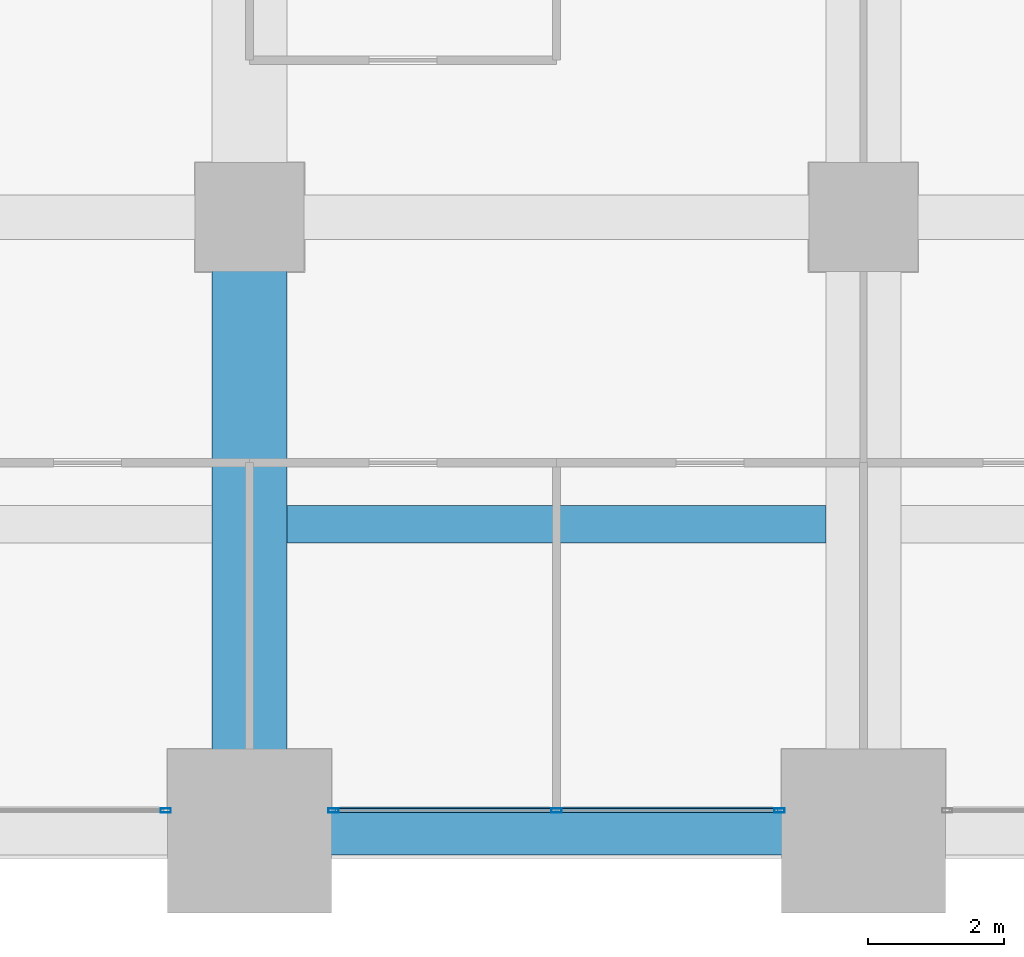
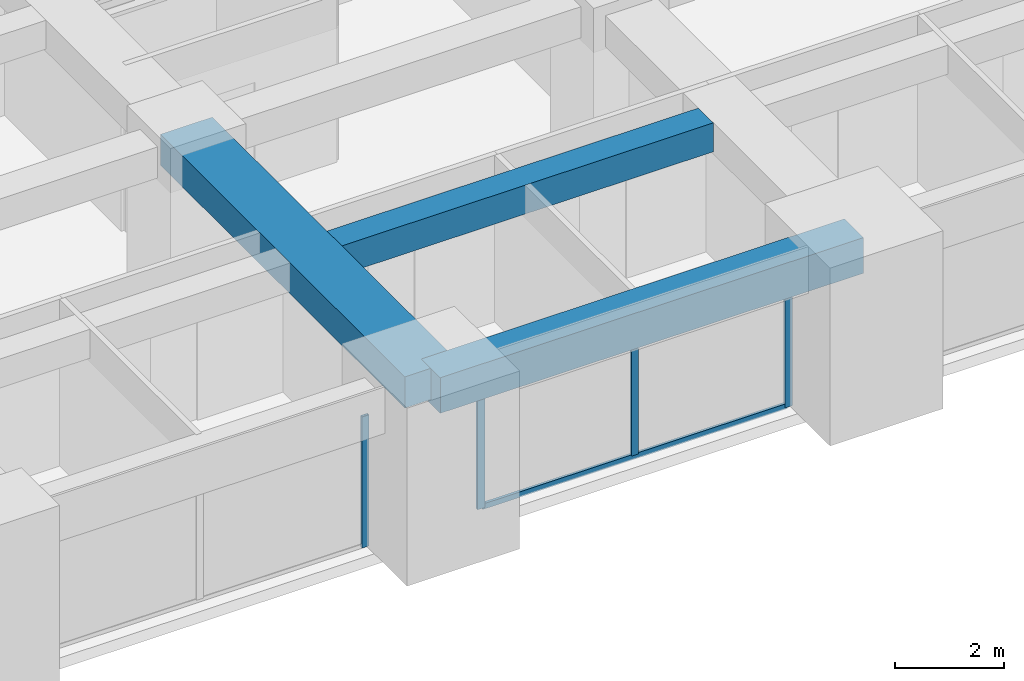
# One storey, part 6 of 32: 5 members, 3 beams, 2 elements without a shape of their own.
"""IFC4 building model written with IfcOpenShell, lengths in metres."""

import ifcopenshell
import ifcopenshell.guid

model = None  # the IFC model being written
_history = None  # IfcOwnerHistory: only IFC2X3 demands one
_inside = {}  # id of a spatial element -> (the spatial element, [elements in it])
_under = {}  # id of a project, library or spatial element -> (it, [spatial elements below it])
_declared = {}  # id of a project -> (the project, [libraries it declares])
_typed = {}  # id of a type object -> (the type object, [elements of that type])
_made_of = {}  # id of a material, layer set ... -> (it, [elements and type objects made of it])


def new_model(schema):
    """Start an empty IFC model of exactly this schema.

    Asked for "IFC4X3", IfcOpenShell would pick the latest addendum, in which some entities
    have other attributes; the version numbers below select the first issue.
    IFC2X3 requires an IfcOwnerHistory on every rooted entity: one is made here for all.
    """
    global model, _history
    if schema == "IFC4X3":
        model = ifcopenshell.file(schema_version=(4, 3, 0, 0))
    else:
        model = ifcopenshell.file(schema=schema)
    _inside.clear()
    _under.clear()
    _declared.clear()
    _typed.clear()
    _made_of.clear()
    _history = None
    if model.schema == "IFC2X3":
        org = make("IfcOrganization", Name="unknown")
        user = make(
            "IfcPersonAndOrganization",
            ThePerson=make("IfcPerson", FamilyName="unknown"),
            TheOrganization=org,
        )
        app = make(
            "IfcApplication",
            ApplicationDeveloper=org,
            Version="unknown",
            ApplicationFullName="unknown",
            ApplicationIdentifier="unknown",
        )
        _history = make(
            "IfcOwnerHistory",
            OwningUser=user,
            OwningApplication=app,
            ChangeAction="ADDED",
            CreationDate=0,
        )
    return model


def make(cls, **values):
    """One entity of the class cls with the attributes given. An attribute that is None is left unset."""
    return model.create_entity(
        cls, **{name: value for name, value in values.items() if value is not None}
    )


def rooted(cls, **values):
    """An entity with a GlobalId (a new one), such as an element, a storey or a relation."""
    return make(cls, GlobalId=ifcopenshell.guid.new(), OwnerHistory=_history, **values)


def si_unit(unit_type, name, prefix=None):
    """IfcSIUnit, for example si_unit("LENGTHUNIT", "METRE", prefix="MILLI")."""
    return make("IfcSIUnit", UnitType=unit_type, Prefix=prefix, Name=name)


def assignment(units):
    """IfcUnitAssignment: the units of a project."""
    return None if units is None else make("IfcUnitAssignment", Units=units)


def point(xyz):
    """IfcCartesianPoint."""
    return None if xyz is None else make("IfcCartesianPoint", Coordinates=xyz)


def direction(xyz):
    """IfcDirection."""
    return None if xyz is None else make("IfcDirection", DirectionRatios=xyz)


def frame(location, z_axis=None, x_axis=None):
    """IfcAxis2Placement3D, a coordinate frame: its origin and axes. An axis left out is left unset."""
    return make(
        "IfcAxis2Placement3D",
        Location=point(location),
        Axis=direction(z_axis),
        RefDirection=direction(x_axis),
    )


def frame_2d(location, x_axis=None):
    """IfcAxis2Placement2D, a coordinate frame in the plane: its origin and x axis."""
    return make(
        "IfcAxis2Placement2D", Location=point(location), RefDirection=direction(x_axis)
    )


def origin():
    """The frame at (0, 0, 0) with its axes left unset."""
    return frame((0.0, 0.0, 0.0))


def origin_2d():
    """The frame at (0, 0) in the plane with its x axis left unset."""
    return frame_2d((0.0, 0.0))


def place(relative_to, where):
    """IfcLocalPlacement: puts the frame where relative to a parent placement (None: the world)."""
    return make(
        "IfcLocalPlacement", PlacementRelTo=relative_to, RelativePlacement=where
    )


def context(
    kind, dimensions, precision=None, world=None, true_north=None, identifier=None
):
    """IfcGeometricRepresentationContext, for example the 3D "Model" context."""
    return make(
        "IfcGeometricRepresentationContext",
        ContextIdentifier=identifier,
        ContextType=kind,
        CoordinateSpaceDimension=dimensions,
        Precision=precision,
        WorldCoordinateSystem=world,
        TrueNorth=true_north,
    )


def subcontext(parent, identifier, kind, view, scale=None):
    """IfcGeometricRepresentationSubContext, for example "Body" below "Model"."""
    return make(
        "IfcGeometricRepresentationSubContext",
        ContextIdentifier=identifier,
        ContextType=kind,
        ParentContext=parent,
        TargetScale=scale,
        TargetView=view,
    )


def project(units=None, contexts=None):
    """IfcProject with its units and contexts."""
    return rooted(
        "IfcProject",
        Name="project",
        RepresentationContexts=contexts,
        UnitsInContext=assignment(units),
    )


def spatial(cls, under=None, at=None, **own):
    """A site, building, storey or space (cls), placed at a placement, below another one or the project."""
    s = rooted(cls, ObjectPlacement=at, **own)
    if under is not None:
        _under.setdefault(under.id(), (under, []))[1].append(s)
    return s


def profile(cls, at=None, kind="AREA", **sizes):
    """A parametric profile (cls). Its sizes go by their IFC names, for example OverallWidth=200.0."""
    return make(cls, ProfileType=kind, Position=at, **sizes)


def rectangle(**sizes):
    """IfcRectangleProfileDef."""
    return profile("IfcRectangleProfileDef", **sizes)


def hollow_rectangle(**sizes):
    """IfcRectangleHollowProfileDef."""
    return profile("IfcRectangleHollowProfileDef", **sizes)


def extrude(swept, where, along, depth):
    """IfcExtrudedAreaSolid: the profile swept, set in the frame where, extruded along a direction by depth."""
    return make(
        "IfcExtrudedAreaSolid",
        SweptArea=swept,
        Position=where,
        ExtrudedDirection=direction(along),
        Depth=depth,
    )


def shape(context_of_items, identifier, shape_type, items):
    """IfcShapeRepresentation: the items that make up one representation, for example the "Body"."""
    return make(
        "IfcShapeRepresentation",
        ContextOfItems=context_of_items,
        RepresentationIdentifier=identifier,
        RepresentationType=shape_type,
        Items=items,
    )


def material(Name=None, Category=None):
    """IfcMaterial."""
    return make("IfcMaterial", Name=Name, Category=Category)


def material_profile(
    of_material, cross_section, Name=None, Category=None, Priority=None
):
    """IfcMaterialProfile: a cross section and its material."""
    return make(
        "IfcMaterialProfile",
        Name=Name,
        Material=of_material,
        Profile=cross_section,
        Priority=Priority,
        Category=Category,
    )


def profile_set(profiles, Name=None, composite=None):
    """IfcMaterialProfileSet."""
    return make(
        "IfcMaterialProfileSet",
        Name=Name,
        MaterialProfiles=profiles,
        CompositeProfile=composite,
    )


def made_of(thing, what):
    """Note that an element or type object is made of a material, layer set ...; save() writes the relation."""
    if what is not None:
        _made_of.setdefault(what.id(), (what, []))[1].append(thing)
    return thing


def type_object(cls, material=None, **own):
    """A type object (cls), such as IfcWallType, which elements share."""
    return made_of(rooted(cls, **own), material)


def element(
    cls,
    number,
    at=None,
    inside=None,
    cuts=None,
    type_object=None,
    material=None,
    context=None,
    identifier="Body",
    shape_type=None,
    held_by="IfcProductDefinitionShape",
    body=None,
    shapes=None,
    **own,
):
    """One element of the class cls, such as IfcWall. Its Tag is "e" and its number.

    at: its placement. inside: the storey or other place that contains it. cuts: it is an
    opening in that element (IfcRelVoidsElement). A single representation is given by context,
    identifier, shape_type and body (its items); several are given by shapes. held_by: the class
    of the entity that holds the representations. save() writes the other relations.
    """
    e = rooted(cls, Tag="e%d" % number, ObjectPlacement=at, **own)
    if body is not None:
        shapes = [shape(context, identifier, shape_type, body)]
    if shapes is not None:
        e.Representation = make(held_by, Representations=shapes)
    if inside is not None:
        _inside.setdefault(inside.id(), (inside, []))[1].append(e)
    if cuts is not None:
        rooted(
            "IfcRelVoidsElement", RelatingBuildingElement=cuts, RelatedOpeningElement=e
        )
    if type_object is not None:
        _typed.setdefault(type_object.id(), (type_object, []))[1].append(e)
    return made_of(e, material)


def aggregate(whole, parts):
    """IfcRelAggregates: a whole, such as a stair, and the parts it consists of."""
    return rooted("IfcRelAggregates", RelatingObject=whole, RelatedObjects=parts)


def save(model, path):
    """Write the relations noted so far, then the file.

    IfcRelAggregates (storeys below a building ...), IfcRelContainedInSpatialStructure (elements
    in a storey), IfcRelDefinesByType, IfcRelAssociatesMaterial and IfcRelDeclares: one each for
    every whole, place, type object, material and project.
    """
    for whole, parts in _under.values():
        aggregate(whole, parts)
    for where, things in _inside.values():
        rooted(
            "IfcRelContainedInSpatialStructure",
            RelatedElements=things,
            RelatingStructure=where,
        )
    for kind, things in _typed.values():
        rooted("IfcRelDefinesByType", RelatedObjects=things, RelatingType=kind)
    for what, things in _made_of.values():
        rooted("IfcRelAssociatesMaterial", RelatedObjects=things, RelatingMaterial=what)
    for by, libraries in _declared.values():
        rooted("IfcRelDeclares", RelatingContext=by, RelatedDefinitions=libraries)
    model.write(path)


model = new_model("IFC4")

# Units and contexts
model_context = context("Model", 3, precision=1e-05, world=origin(), true_north=direction((0.0, 1.0)))
body_context = subcontext(model_context, "Body", "Model", "MODEL_VIEW")
ifc_project = project(units=[si_unit("LENGTHUNIT", "METRE"), si_unit("AREAUNIT", "SQUARE_METRE"), si_unit("VOLUMEUNIT", "CUBIC_METRE"), si_unit("PLANEANGLEUNIT", "RADIAN"), si_unit("MASSUNIT", "GRAM", prefix="KILO")], contexts=[model_context])

# Site, building, storey
site_placement = place(None, origin())
site = spatial("IfcSite", under=ifc_project, at=site_placement, CompositionType="ELEMENT")
building_placement = place(site_placement, origin())
building = spatial("IfcBuilding", under=site, at=building_placement, Name="Zorevar Civic Tower", CompositionType="ELEMENT")
storey_placement = place(building_placement, frame((0.0, 0.0, 182.199951171875)))
storey = spatial("IfcBuildingStorey", under=building, at=storey_placement, Name="L44", CompositionType="ELEMENT", Elevation=182.199951171875)

# Beams
ifc_material_1 = material(Name="Concrete C50/60", Category="concrete")
ifc_material_profile_1 = material_profile(ifc_material_1, rectangle(XDim=1.10009765625, YDim=0.699951171875, at=origin_2d()), Name="RC 1100x700")
ifc_profile_set_1 = profile_set([ifc_material_profile_1], Name="Concrete C50/60")
beam_type_1 = type_object("IfcBeamType", Name="Beam RC 1100x700", PredefinedType="BEAM", material=ifc_profile_set_1)
beam_1_placement = place(storey_placement, frame((18.0, 0.0, 3.400146484375), z_axis=(0.0, 1.0, 0.0), x_axis=(-1.0, 0.0, 0.0)))
element("IfcBeam", 1, at=beam_1_placement, inside=storey, type_object=beam_type_1, Name="Girder L45", PredefinedType="BEAM", context=body_context, shape_type="SweptSolid", body=[
    extrude(rectangle(XDim=1.10009765625, YDim=0.699951171875, at=origin_2d()), origin(), (0.0, 0.0, 1.0), 9.0),
])
ifc_material_2 = material(Name="Concrete C50/60", Category="concrete")
ifc_material_profile_2 = material_profile(ifc_material_2, rectangle(XDim=0.550048828125, YDim=0.64990234375, at=origin_2d()), Name="RC 550x650")
ifc_profile_set_2 = profile_set([ifc_material_profile_2], Name="Concrete C50/60")
beam_type_2 = type_object("IfcBeamType", Name="Beam RC 550x650", PredefinedType="BEAM", material=ifc_profile_set_2)
beam_2_placement = place(storey_placement, frame((18.550048828125, 4.5, 3.425048828125), z_axis=(1.0, 0.0, 0.0), x_axis=(0.0, 1.0, 0.0)))
element("IfcBeam", 2, at=beam_2_placement, inside=storey, type_object=beam_type_2, Name="Secondary beam L45", PredefinedType="BEAM", context=body_context, shape_type="SweptSolid", body=[
    extrude(rectangle(XDim=0.550048828125, YDim=0.64990234375, at=origin_2d()), origin(), (0.0, 0.0, 1.0), 7.89990234375),
])

# Curtain wall, member
ifc_material_3 = material(Name="Dark grey solar-control glass in black aluminium frame", Category="aluminium")
curtain_wall_type = type_object("IfcCurtainWallType", Name="Curtain wall CW4 high zone", PredefinedType="NOTDEFINED", material=ifc_material_3)
curtain_wall_1_placement = place(storey_placement, origin())
curtain_wall_1 = element("IfcCurtainWall", 3, at=curtain_wall_1_placement, inside=storey, type_object=curtain_wall_type, Name="CW4 L44", PredefinedType="NOTDEFINED")
ifc_material_4 = material(Name="Aluminium, black anodised", Category="aluminium")
ifc_material_profile_3 = material_profile(ifc_material_4, hollow_rectangle(XDim=0.06005859375, YDim=0.14990234375, WallThickness=0.00390625, at=origin_2d()), Name="AL 150x60x4")
ifc_profile_set_3 = profile_set([ifc_material_profile_3], Name="Aluminium, black anodised")
member_type_1 = type_object("IfcMemberType", Name="CW4 mullion AL 150x60x4", PredefinedType="MULLION", material=ifc_profile_set_3)
member_1_placement = place(storey_placement, frame((16.77001953125, 0.300048828125, 0.0), z_axis=(0.0, 0.0, 1.0), x_axis=(0.0, 1.0, 0.0)))
member_1 = element("IfcMember", 4, at=member_1_placement, type_object=member_type_1, Name="CW4 mullion 3", PredefinedType="MULLION", context=body_context, shape_type="SweptSolid", body=[
    extrude(hollow_rectangle(XDim=0.06005859375, YDim=0.14990234375, WallThickness=0.00390625, at=origin_2d()), origin(), (0.0, 0.0, 1.0), 2.949951171875),
])
aggregate(curtain_wall_1, [member_1])

# Curtain wall, members
curtain_wall_2_placement = place(storey_placement, origin())
curtain_wall_2 = element("IfcCurtainWall", 5, at=curtain_wall_2_placement, inside=storey, type_object=curtain_wall_type, Name="CW4 L44", PredefinedType="NOTDEFINED")
member_2_placement = place(storey_placement, frame((19.22998046875, 0.300048828125, 0.0), z_axis=(0.0, 0.0, 1.0), x_axis=(0.0, 1.0, 0.0)))
member_2 = element("IfcMember", 6, at=member_2_placement, type_object=member_type_1, Name="CW4 mullion 1", PredefinedType="MULLION", context=body_context, shape_type="SweptSolid", body=[
    extrude(hollow_rectangle(XDim=0.06005859375, YDim=0.14990234375, WallThickness=0.00390625, at=origin_2d()), origin(), (0.0, 0.0, 1.0), 2.949951171875),
])
member_3_placement = place(storey_placement, frame((22.5, 0.300048828125, 0.06005859375), z_axis=(0.0, 0.0, 1.0), x_axis=(0.0, 1.0, 0.0)))
member_3 = element("IfcMember", 7, at=member_3_placement, type_object=member_type_1, Name="CW4 mullion 2", PredefinedType="MULLION", context=body_context, shape_type="SweptSolid", body=[
    extrude(hollow_rectangle(XDim=0.06005859375, YDim=0.14990234375, WallThickness=0.00390625, at=origin_2d()), origin(), (0.0, 0.0, 1.0), 2.889892578125),
])
member_4_placement = place(storey_placement, frame((25.77001953125, 0.300048828125, 0.0), z_axis=(0.0, 0.0, 1.0), x_axis=(0.0, 1.0, 0.0)))
member_4 = element("IfcMember", 8, at=member_4_placement, type_object=member_type_1, Name="CW4 mullion 3", PredefinedType="MULLION", context=body_context, shape_type="SweptSolid", body=[
    extrude(hollow_rectangle(XDim=0.06005859375, YDim=0.14990234375, WallThickness=0.00390625, at=origin_2d()), origin(), (0.0, 0.0, 1.0), 2.949951171875),
])
ifc_material_5 = material(Name="Aluminium, black anodised", Category="aluminium")
ifc_material_profile_4 = material_profile(ifc_material_5, hollow_rectangle(XDim=0.06005859375, YDim=0.1201171875, WallThickness=0.0029296875, at=origin_2d()), Name="AL 120x60x3")
ifc_profile_set_4 = profile_set([ifc_material_profile_4], Name="Aluminium, black anodised")
member_type_2 = type_object("IfcMemberType", Name="CW4 transom AL 120x60x3", PredefinedType="USERDEFINED", material=ifc_profile_set_4)
member_5_placement = place(storey_placement, frame((19.260009765625, 0.300048828125, 0.030029296875), z_axis=(1.0, 0.0, 0.0), x_axis=(0.0, 1.0, 0.0)))
member_5 = element("IfcMember", 9, at=member_5_placement, type_object=member_type_2, Name="CW4 sill transom", ObjectType="TRANSOM", PredefinedType="USERDEFINED", context=body_context, shape_type="SweptSolid", body=[
    extrude(hollow_rectangle(XDim=0.06005859375, YDim=0.1201171875, WallThickness=0.0029296875, at=origin_2d()), origin(), (0.0, 0.0, 1.0), 6.47998046875),
])
aggregate(curtain_wall_2, [member_2, member_3, member_4, member_5])

# Beam
ifc_material_6 = material(Name="Concrete C50/60", Category="concrete")
ifc_material_profile_5 = material_profile(ifc_material_6, rectangle(XDim=0.699951171875, YDim=0.800048828125, at=origin_2d()), Name="RC 700x800")
ifc_profile_set_5 = profile_set([ifc_material_profile_5], Name="Concrete C50/60")
beam_type_3 = type_object("IfcBeamType", Name="Edge beam RC 700x800", PredefinedType="SPANDREL", material=ifc_profile_set_5)
beam_3_placement = place(storey_placement, frame((18.0, 0.0, 3.35009765625), z_axis=(1.0, 0.0, 0.0), x_axis=(0.0, 1.0, 0.0)))
element("IfcBeam", 10, at=beam_3_placement, inside=storey, type_object=beam_type_3, Name="Edge beam L45", PredefinedType="SPANDREL", context=body_context, shape_type="SweptSolid", body=[
    extrude(rectangle(XDim=0.699951171875, YDim=0.800048828125, at=origin_2d()), origin(), (0.0, 0.0, 1.0), 9.0),
])

save(model, "model.ifc")
